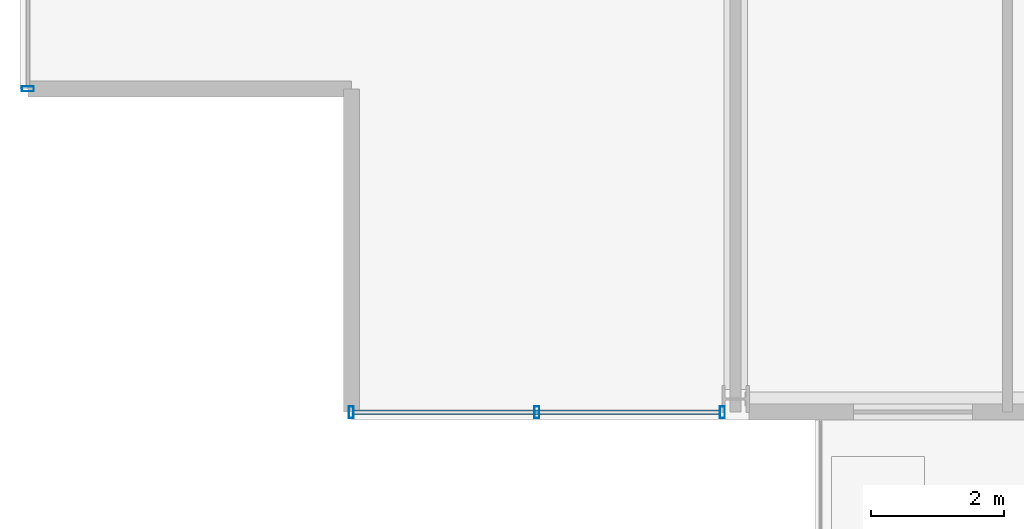
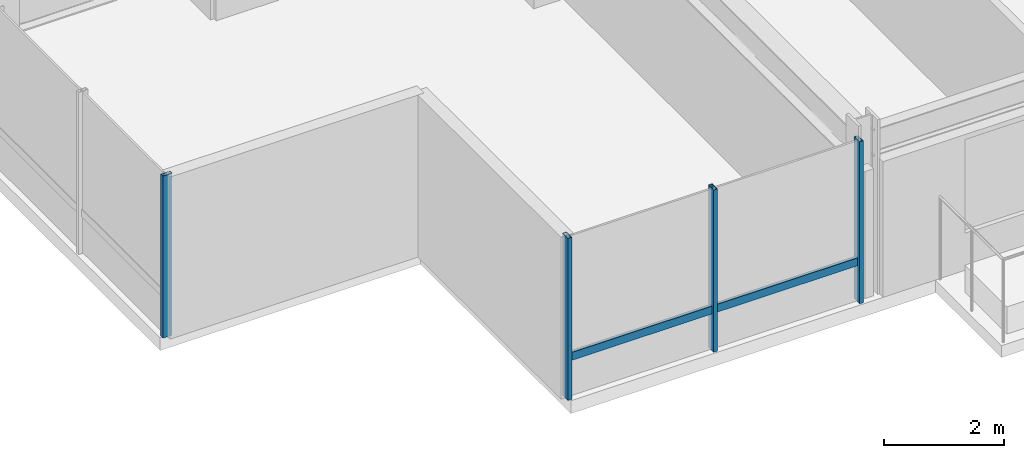
# One storey, part 2 of 32: 5 members, 2 elements without a shape of their own.
"""IFC4 building model written with IfcOpenShell, lengths in metres."""

from ifc_helpers import new_model, si_unit, direction, frame, origin, origin_2d, place, context, subcontext, project, spatial, hollow_rectangle, extrude, material, layer, layer_set, material_profile, profile_set, type_object, element, aggregate, save


model = new_model("IFC4")

# Units and contexts
model_context = context("Model", 3, precision=1e-05, world=origin(), true_north=direction((0.0, 1.0)))
body_context = subcontext(model_context, "Body", "Model", "MODEL_VIEW")
ifc_project = project(units=[si_unit("LENGTHUNIT", "METRE"), si_unit("AREAUNIT", "SQUARE_METRE"), si_unit("VOLUMEUNIT", "CUBIC_METRE"), si_unit("PLANEANGLEUNIT", "RADIAN"), si_unit("MASSUNIT", "GRAM", prefix="KILO")], contexts=[model_context])

# Site, building, storey
site_placement = place(None, origin())
site = spatial("IfcSite", under=ifc_project, at=site_placement, CompositionType="ELEMENT")
building_placement = place(site_placement, origin())
building = spatial("IfcBuilding", under=site, at=building_placement, Name="Drelvath Grand Hotel", CompositionType="ELEMENT")
storey_placement = place(building_placement, frame((0.0, 0.0, 150.39990234375)))
storey = spatial("IfcBuildingStorey", under=building, at=storey_placement, Name="L38", CompositionType="ELEMENT", Elevation=150.39990234375)

# Curtain wall, member
ifc_material = material(Name="Brushed Pale-Silver Anodised Aluminium Frame", Category="aluminium")
ifc_layer = layer(ifc_material, 0.199951171875)
ifc_layer_set = layer_set([ifc_layer], Name="Brushed Pale-Silver Anodised Aluminium Frame")
curtain_wall_type = type_object("IfcCurtainWallType", Name="Stick Curtain Wall CW-04 Brushed Silver Upper-Mid", PredefinedType="NOTDEFINED", material=ifc_layer_set)
curtain_wall_1_placement = place(storey_placement, origin())
curtain_wall_1 = element("IfcCurtainWall", 1, at=curtain_wall_1_placement, inside=storey, type_object=curtain_wall_type, Name="L38 CW-04 Curtain Wall CW04-L38-SW1", PredefinedType="NOTDEFINED")
ifc_material_profile_1 = material_profile(ifc_material, hollow_rectangle(XDim=0.06494140625, YDim=0.159912109375, WallThickness=0.00390625, at=origin_2d()), Name="HSS160X65X4")
ifc_profile_set_1 = profile_set([ifc_material_profile_1], Name="Brushed Pale-Silver Anodised Aluminium Frame")
member_type_1 = type_object("IfcMemberType", Name="Curtain Wall Horizontal Transom CW-04 HSS160X65X4", PredefinedType="USERDEFINED", material=ifc_profile_set_1)
member_1_placement = place(storey_placement, frame((-16.440185546875, 0.1201171875, 0.822509765625), z_axis=(-1.0, 0.0, 0.0), x_axis=(0.0, -1.0, 0.0)))
member_1 = element("IfcMember", 2, at=member_1_placement, type_object=member_type_1, Name="CW04-L38-SW1 Sill Transom", ObjectType="TRANSOM", PredefinedType="USERDEFINED", context=body_context, shape_type="SweptSolid", body=[
    extrude(hollow_rectangle(XDim=0.06494140625, YDim=0.159912109375, WallThickness=0.00390625, at=origin_2d()), origin(), (0.0, 0.0, 1.0), 5.519775390625),
])

curtain_wall_2_placement = place(storey_placement, origin())
curtain_wall_2 = element("IfcCurtainWall", 3, at=curtain_wall_2_placement, inside=storey, type_object=curtain_wall_type, Name="L38 CW-04 Curtain Wall CW04-L38-WS1", PredefinedType="NOTDEFINED")
ifc_material_profile_2 = material_profile(ifc_material, hollow_rectangle(XDim=0.074951171875, YDim=0.179931640625, WallThickness=0.0048828125, at=origin_2d()), Name="HSS180X75X5")
ifc_profile_set_2 = profile_set([ifc_material_profile_2], Name="Brushed Pale-Silver Anodised Aluminium Frame")
member_type_2 = type_object("IfcMemberType", Name="Curtain Wall Vertical Mullion CW-04 HSS180X75X5", PredefinedType="MULLION", material=ifc_profile_set_2)
member_2_placement = place(storey_placement, frame((-26.8798828125, 5.0, 0.0), z_axis=(0.0, 0.0, 1.0), x_axis=(0.0, 1.0, 0.0)))
member_2 = element("IfcMember", 4, at=member_2_placement, type_object=member_type_2, Name="CW04-L38-WS1 Mullion 1", PredefinedType="MULLION", context=body_context, shape_type="SweptSolid", body=[
    extrude(hollow_rectangle(XDim=0.074951171875, YDim=0.179931640625, WallThickness=0.0048828125, at=origin_2d()), origin(), (0.0, 0.0, 1.0), 3.2900390625),
])
aggregate(curtain_wall_2, [member_2])

# Member
member_3_placement = place(storey_placement, frame((-16.400146484375, 0.1201171875, 0.0), z_axis=(0.0, 0.0, 1.0), x_axis=(1.0, 0.0, 0.0)))
member_3 = element("IfcMember", 5, at=member_3_placement, type_object=member_type_2, Name="CW04-L38-SW1 Mullion 1", PredefinedType="MULLION", context=body_context, shape_type="SweptSolid", body=[
    extrude(hollow_rectangle(XDim=0.074951171875, YDim=0.179931640625, WallThickness=0.0048828125, at=origin_2d()), origin(), (0.0, 0.0, 1.0), 3.2900390625),
])

member_4_placement = place(storey_placement, frame((-19.199951171875, 0.1201171875, 0.0), z_axis=(0.0, 0.0, 1.0), x_axis=(1.0, 0.0, 0.0)))
member_4 = element("IfcMember", 6, at=member_4_placement, type_object=member_type_2, Name="CW04-L38-SW1 Mullion 2", PredefinedType="MULLION", context=body_context, shape_type="SweptSolid", body=[
    extrude(hollow_rectangle(XDim=0.074951171875, YDim=0.179931640625, WallThickness=0.0048828125, at=origin_2d()), origin(), (0.0, 0.0, 1.0), 3.2900390625),
])

member_5_placement = place(storey_placement, frame((-22.0, 0.1201171875, 0.0), z_axis=(0.0, 0.0, 1.0), x_axis=(1.0, 0.0, 0.0)))
member_5 = element("IfcMember", 7, at=member_5_placement, type_object=member_type_2, Name="CW04-L38-SW1 Mullion 3", PredefinedType="MULLION", context=body_context, shape_type="SweptSolid", body=[
    extrude(hollow_rectangle(XDim=0.074951171875, YDim=0.179931640625, WallThickness=0.0048828125, at=origin_2d()), origin(), (0.0, 0.0, 1.0), 3.2900390625),
])

aggregate(curtain_wall_1, [member_3, member_4, member_5, member_1])

save(model, "model.ifc")
